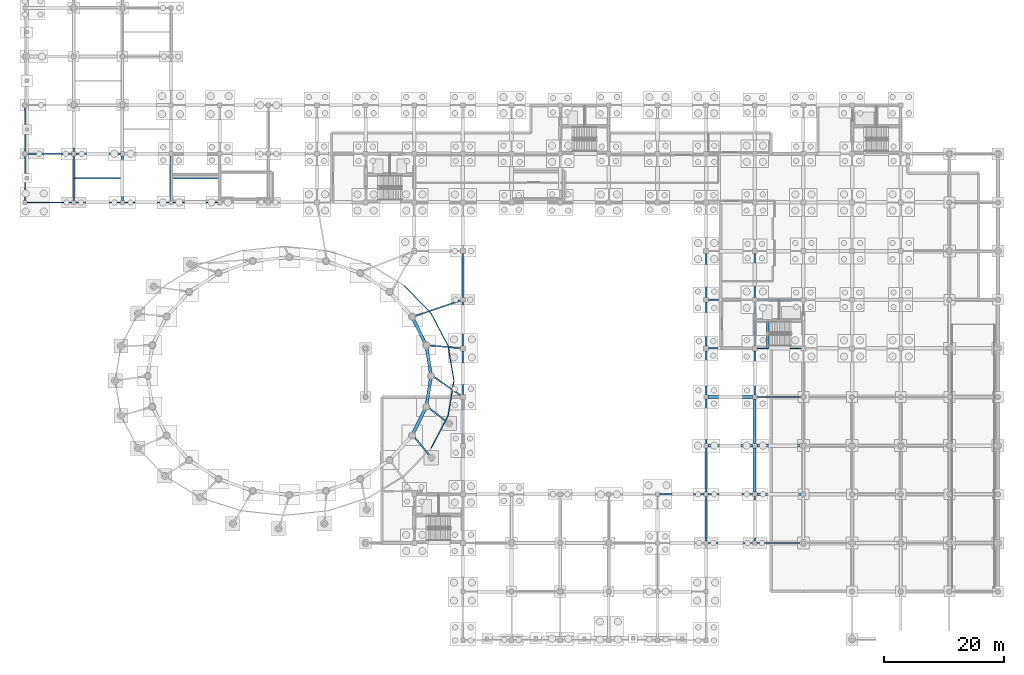
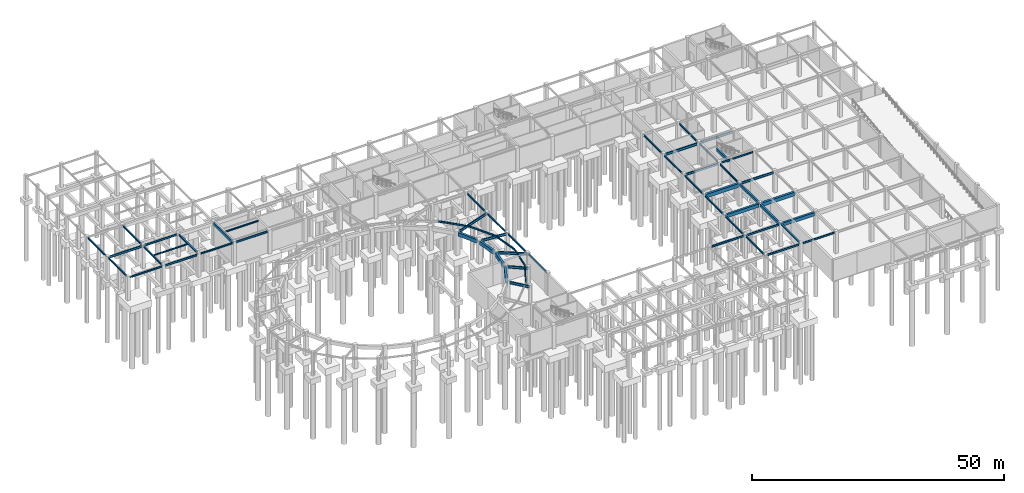
# One storey, part 12 of 26: 58 beams.
"""IFC4 building model written with IfcOpenShell, lengths in metres."""

from ifc_helpers import new_model, si_unit, direction, frame, origin, origin_2d, place, context, subcontext, project, spatial, rectangle, i_section, extrude, material, material_profile, profile_set, type_object, element, save


model = new_model("IFC4")

# Units and contexts
model_context = context("Model", 3, precision=1e-05, world=origin(), true_north=direction((0.0, 1.0)))
body_context = subcontext(model_context, "Body", "Model", "MODEL_VIEW")
ifc_project = project(units=[si_unit("LENGTHUNIT", "METRE"), si_unit("AREAUNIT", "SQUARE_METRE"), si_unit("VOLUMEUNIT", "CUBIC_METRE"), si_unit("PLANEANGLEUNIT", "RADIAN"), si_unit("MASSUNIT", "GRAM", prefix="KILO")], contexts=[model_context])

# Site, building, storey
site_placement = place(None, origin())
site = spatial("IfcSite", under=ifc_project, at=site_placement, CompositionType="ELEMENT")
building_placement = place(site_placement, origin())
building = spatial("IfcBuilding", under=site, at=building_placement, Name="Parian Resonance Hall", CompositionType="ELEMENT")
storey_placement = place(building_placement, frame((0.0, 0.0, -5.39990234375)))
storey = spatial("IfcBuildingStorey", under=building, at=storey_placement, Name="B1", CompositionType="ELEMENT", Elevation=-5.39990234375)

# Beams
ifc_material_1 = material(Name="Concrete C40/50", Category="concrete")
ifc_material_profile_1 = material_profile(ifc_material_1, rectangle(XDim=0.35009765625, YDim=0.60009765625, at=origin_2d()), Name="RC-BM-350x600")
ifc_profile_set_1 = profile_set([ifc_material_profile_1], Name="Concrete C40/50")
beam_type_1 = type_object("IfcBeamType", Name="BM-RC350x600", PredefinedType="BEAM", material=ifc_profile_set_1)
beam_1_placement = place(storey_placement, frame((121.5, 32.75, 4.760009765625), z_axis=(0.0, 1.0, 0.0), x_axis=(-1.0, 0.0, 0.0)))
element("IfcBeam", 1, at=beam_1_placement, inside=storey, type_object=beam_type_1, Name="GY-B1-0209", PredefinedType="BEAM", context=body_context, shape_type="SweptSolid", body=[
    extrude(rectangle(XDim=0.35009765625, YDim=0.60009765625, at=origin_2d()), origin(), (0.0, 0.0, 1.0), 7.39990234375),
])
ifc_material_2 = material(Name="Concrete C40/50", Category="concrete")
ifc_material_profile_2 = material_profile(ifc_material_2, rectangle(XDim=0.39990234375, YDim=0.699951171875, at=origin_2d()), Name="RC-BM-400x700")
ifc_profile_set_2 = profile_set([ifc_material_profile_2], Name="Concrete C40/50")
beam_type_2 = type_object("IfcBeamType", Name="BM-RC400x700", PredefinedType="BEAM", material=ifc_profile_set_2)
beam_2_placement = place(storey_placement, frame((24.300048828125, 73.25, 4.77001953125), z_axis=(0.0, 1.0, 0.0), x_axis=(-1.0, 0.0, 0.0)))
element("IfcBeam", 2, at=beam_2_placement, inside=storey, type_object=beam_type_2, Name="GY-B1-0148", PredefinedType="BEAM", context=body_context, shape_type="SweptSolid", body=[
    extrude(rectangle(XDim=0.39990234375, YDim=0.699951171875, at=origin_2d()), origin(), (0.0, 0.0, 1.0), 7.39990234375),
])
beam_3_placement = place(storey_placement, frame((121.5, 24.64990234375, 4.7099609375), z_axis=(0.0, 1.0, 0.0), x_axis=(-1.0, 0.0, 0.0)))
element("IfcBeam", 3, at=beam_3_placement, inside=storey, type_object=beam_type_2, Name="GY-B1-0208", PredefinedType="BEAM", context=body_context, shape_type="SweptSolid", body=[
    extrude(rectangle(XDim=0.39990234375, YDim=0.699951171875, at=origin_2d()), origin(), (0.0, 0.0, 1.0), 7.400146484375),
])
beam_4_placement = place(storey_placement, frame((123.659912109375, 48.60009765625, 4.7099609375), z_axis=(0.0, 1.0, 0.0), x_axis=(-1.0, 0.0, 0.0)))
element("IfcBeam", 4, at=beam_4_placement, inside=storey, type_object=beam_type_2, Name="Core K2 stair arrival trimmer beam B1", PredefinedType="BEAM", context=body_context, shape_type="SweptSolid", body=[
    extrude(rectangle(XDim=0.39990234375, YDim=0.699951171875, at=origin_2d()), origin(), (0.0, 0.0, 1.0), 4.64990234375),
])
ifc_material_3 = material(Name="Concrete C40/50", Category="concrete")
ifc_material_profile_3 = material_profile(ifc_material_3, rectangle(XDim=0.449951171875, YDim=0.800048828125, at=origin_2d()), Name="RC-BM-450x800")
ifc_profile_set_3 = profile_set([ifc_material_profile_3], Name="Concrete C40/50")
beam_type_3 = type_object("IfcBeamType", Name="BM-RC450x800", PredefinedType="USERDEFINED", material=ifc_profile_set_3)
for number, where, z_axis, x_axis, name in (
    (5, (113.75, 32.39990234375, 4.659912109375), (1.0, 0.0, 0.0), (0.0, 1.0, 0.0), "GX-B1-0077"),
    (6, (121.85009765625, 24.300048828125, 4.659912109375), (1.0, 0.0, 0.0), (0.0, 1.0, 0.0), "GX-B1-0086"),
):
    element("IfcBeam", number, at=place(storey_placement, frame(where, z_axis=z_axis, x_axis=x_axis)), inside=storey, type_object=beam_type_3, Name=name, ObjectType="GIRDER", PredefinedType="USERDEFINED", context=body_context, shape_type="SweptSolid", body=[
        extrude(rectangle(XDim=0.449951171875, YDim=0.800048828125, at=origin_2d()), origin(), (0.0, 0.0, 1.0), 7.39990234375),
    ])
ifc_material_4 = material(Name="Concrete C40/50", Category="concrete")
ifc_material_profile_4 = material_profile(ifc_material_4, rectangle(XDim=0.5, YDim=0.89990234375, at=origin_2d()), Name="RC-BM-500x900")
ifc_profile_set_4 = profile_set([ifc_material_profile_4], Name="Concrete C40/50")
beam_type_4 = type_object("IfcBeamType", Name="BM-RC500x900", PredefinedType="USERDEFINED", material=ifc_profile_set_4)
for number, where, z_axis, x_axis, name in (
    (7, (113.75, 40.5, 4.60986328125), (1.0, 0.0, 0.0), (0.0, 1.0, 0.0), "GX-B1-0078"),
    (8, (121.85009765625, 32.39990234375, 4.60986328125), (1.0, 0.0, 0.0), (0.0, 1.0, 0.0), "GX-B1-0087"),
):
    element("IfcBeam", number, at=place(storey_placement, frame(where, z_axis=z_axis, x_axis=x_axis)), inside=storey, type_object=beam_type_4, Name=name, ObjectType="GIRDER", PredefinedType="USERDEFINED", context=body_context, shape_type="SweptSolid", body=[
        extrude(rectangle(XDim=0.5, YDim=0.89990234375, at=origin_2d()), origin(), (0.0, 0.0, 1.0), 7.39990234375),
    ])
beam_5_placement = place(storey_placement, frame((67.5380859375, 44.395263671875, 4.679931640625), z_axis=(-0.155033793728, 0.987909167283, 0.0), x_axis=(-0.987909167283, -0.155033793728, 0.0)))
element("IfcBeam", 9, at=beam_5_placement, inside=storey, type_object=beam_type_4, Name="Concert hall drum ring beam B1-01", ObjectType="GIRDER", PredefinedType="USERDEFINED", context=body_context, shape_type="SweptSolid", body=[
    extrude(rectangle(XDim=0.5, YDim=0.89990234375, at=origin_2d()), origin(), (0.0, 0.0, 1.0), 4.38720703125),
])
for number, where, z_axis, x_axis, name in (
    (10, (66.61865234375, 49.4833984375, 4.679931640625), (-0.442697851544, 0.896670849441, 0.0), (-0.896670849441, -0.442697851544, 0.0), "Concert hall drum ring beam B1-02"),
    (11, (64.615234375, 34.458740234375, 4.679931640625), (0.442697851544, 0.896670849441, 0.0), (-0.896670849441, 0.442697851544, 0.0), "Concert hall drum ring beam B1-23"),
):
    element("IfcBeam", number, at=place(storey_placement, frame(where, z_axis=z_axis, x_axis=x_axis)), inside=storey, type_object=beam_type_4, Name=name, ObjectType="GIRDER", PredefinedType="USERDEFINED", context=body_context, shape_type="SweptSolid", body=[
        extrude(rectangle(XDim=0.5, YDim=0.89990234375, at=origin_2d()), origin(), (0.0, 0.0, 1.0), 4.525390625),
    ])
beam_6_placement = place(storey_placement, frame((66.85791015625, 39.2705078125, 4.679931640625), z_axis=(0.155033793728, 0.987909167283, 0.0), x_axis=(-0.987909167283, 0.155033793728, 0.0)))
element("IfcBeam", 12, at=beam_6_placement, inside=storey, type_object=beam_type_4, Name="Concert hall drum ring beam B1-24", ObjectType="GIRDER", PredefinedType="USERDEFINED", context=body_context, shape_type="SweptSolid", body=[
    extrude(rectangle(XDim=0.5, YDim=0.89990234375, at=origin_2d()), origin(), (0.0, 0.0, 1.0), 4.38720703125),
])
ifc_material_5 = material(Name="Steel S355", Category="steel")
ifc_material_profile_5 = material_profile(ifc_material_5, i_section(OverallWidth=0.25390625, OverallDepth=0.2529296875, WebThickness=0.008544921875, FlangeThickness=0.01416015625, FilletRadius=0.0126953125, at=origin_2d()), Name="W250x73")
ifc_profile_set_5 = profile_set([ifc_material_profile_5], Name="Steel S355")
beam_type_5 = type_object("IfcBeamType", Name="BM-W250x73", PredefinedType="JOIST", material=ifc_profile_set_5)
beam_7_placement = place(storey_placement, frame((8.2275390625, 76.949951171875, 4.993408203125), z_axis=(1.0, 0.0, 0.0), x_axis=(0.0, 1.0, 0.0)))
element("IfcBeam", 13, at=beam_7_placement, inside=storey, type_object=beam_type_5, Name="JS-B1-0266", PredefinedType="JOIST", context=body_context, shape_type="SweptSolid", body=[
    extrude(i_section(OverallWidth=0.25390625, OverallDepth=0.2529296875, WebThickness=0.008544921875, FlangeThickness=0.01416015625, FilletRadius=0.0126953125, at=origin_2d()), origin(), (0.0, 0.0, 1.0), 7.820068359375),
])
ifc_material_6 = material(Name="Steel S355", Category="steel")
ifc_material_profile_6 = material_profile(ifc_material_6, i_section(OverallWidth=0.25390625, OverallDepth=0.305908203125, WebThickness=0.0087890625, FlangeThickness=0.0146484375, FilletRadius=0.01513671875, at=origin_2d()), Name="W310x79")
ifc_profile_set_6 = profile_set([ifc_material_profile_6], Name="Steel S355")
beam_type_6 = type_object("IfcBeamType", Name="BM-W310x79", PredefinedType="JOIST", material=ifc_profile_set_6)
beam_8_placement = place(storey_placement, frame((24.5, 76.949951171875, 4.966796875), z_axis=(1.0, 0.0, 0.0), x_axis=(0.0, 1.0, 0.0)))
element("IfcBeam", 14, at=beam_8_placement, inside=storey, type_object=beam_type_6, Name="JS-B1-0271", PredefinedType="JOIST", context=body_context, shape_type="SweptSolid", body=[
    extrude(i_section(OverallWidth=0.25390625, OverallDepth=0.305908203125, WebThickness=0.0087890625, FlangeThickness=0.0146484375, FilletRadius=0.01513671875, at=origin_2d()), origin(), (0.0, 0.0, 1.0), 7.72509765625),
])
ifc_material_7 = material(Name="Steel S355", Category="steel")
ifc_material_profile_7 = material_profile(ifc_material_7, i_section(OverallWidth=0.304931640625, OverallDepth=0.30810546875, WebThickness=0.010009765625, FlangeThickness=0.015380859375, FilletRadius=0.01513671875, at=origin_2d()), Name="W310x97")
ifc_profile_set_7 = profile_set([ifc_material_profile_7], Name="Steel S355")
beam_type_7 = type_object("IfcBeamType", Name="BM-W310x97", PredefinedType="BEAM", material=ifc_profile_set_7)
for number, where, z_axis, x_axis, name in (
    (15, (8.10009765625, 81.35009765625, 4.9658203125), (0.0, 1.0, 0.0), (-1.0, 0.0, 0.0), "GY-B1-0139"),
    (16, (16.199951171875, 73.25, 4.9658203125), (0.0, 1.0, 0.0), (-1.0, 0.0, 0.0), "GY-B1-0143"),
    (17, (121.5, 16.550048828125, 5.015869140625), (0.0, 1.0, 0.0), (-1.0, 0.0, 0.0), "GY-B1-0207"),
):
    element("IfcBeam", number, at=place(storey_placement, frame(where, z_axis=z_axis, x_axis=x_axis)), inside=storey, type_object=beam_type_7, Name=name, PredefinedType="BEAM", context=body_context, shape_type="SweptSolid", body=[
        extrude(i_section(OverallWidth=0.304931640625, OverallDepth=0.30810546875, WebThickness=0.010009765625, FlangeThickness=0.015380859375, FilletRadius=0.01513671875, at=origin_2d()), origin(), (0.0, 0.0, 1.0), 7.39990234375),
    ])
ifc_material_8 = material(Name="Steel S355", Category="steel")
ifc_material_profile_8 = material_profile(ifc_material_8, i_section(OverallWidth=0.2548828125, OverallDepth=0.35693359375, WebThickness=0.010498046875, FlangeThickness=0.018310546875, FilletRadius=0.01513671875, at=origin_2d()), Name="W360x101")
ifc_profile_set_8 = profile_set([ifc_material_profile_8], Name="Steel S355")
beam_type_8 = type_object("IfcBeamType", Name="BM-W360x101", PredefinedType="SPANDREL", material=ifc_profile_set_8)
for number, where, z_axis, x_axis, name in (
    (18, (0.0, 73.25, 4.991455078125), (0.0, 1.0, 0.0), (-1.0, 0.0, 0.0), "GY-B1-0133"),
    (19, (0.0, 81.35009765625, 4.991455078125), (0.0, 1.0, 0.0), (-1.0, 0.0, 0.0), "GY-B1-0134"),
    (20, (8.10009765625, 73.25, 4.94140625), (0.0, 1.0, 0.0), (-1.0, 0.0, 0.0), "GY-B1-0138"),
):
    element("IfcBeam", number, at=place(storey_placement, frame(where, z_axis=z_axis, x_axis=x_axis)), inside=storey, type_object=beam_type_8, Name=name, PredefinedType="SPANDREL", context=body_context, shape_type="SweptSolid", body=[
        extrude(i_section(OverallWidth=0.2548828125, OverallDepth=0.35693359375, WebThickness=0.010498046875, FlangeThickness=0.018310546875, FilletRadius=0.01513671875, at=origin_2d()), origin(), (0.0, 0.0, 1.0), 7.39990234375),
    ])
for number, where, z_axis, x_axis, name in (
    (21, (72.89990234375, 32.800048828125, 4.92138671875), (0.0, 1.0, 0.0), (-1.0, 0.0, 0.0), "GY-B1-0169"),
    (22, (72.89990234375, 40.89990234375, 4.92138671875), (0.0, 1.0, 0.0), (-1.0, 0.0, 0.0), "GY-B1-0170"),
    (23, (72.89990234375, 49.0, 4.92138671875), (0.0, 1.0, 0.0), (-1.0, 0.0, 0.0), "GY-B1-0171"),
):
    element("IfcBeam", number, at=place(storey_placement, frame(where, z_axis=z_axis, x_axis=x_axis)), inside=storey, type_object=beam_type_8, Name=name, PredefinedType="SPANDREL", context=body_context, shape_type="SweptSolid", body=[
        extrude(i_section(OverallWidth=0.2548828125, OverallDepth=0.35693359375, WebThickness=0.010498046875, FlangeThickness=0.018310546875, FilletRadius=0.01513671875, at=origin_2d()), origin(), (0.0, 0.0, 1.0), 7.300048828125),
    ])
beam_9_placement = place(storey_placement, frame((72.89990234375, 57.10009765625, 4.92138671875), z_axis=(0.0, 1.0, 0.0), x_axis=(-1.0, 0.0, 0.0)))
element("IfcBeam", 24, at=beam_9_placement, inside=storey, type_object=beam_type_8, Name="GY-B1-0172", PredefinedType="SPANDREL", context=body_context, shape_type="SweptSolid", body=[
    extrude(i_section(OverallWidth=0.2548828125, OverallDepth=0.35693359375, WebThickness=0.010498046875, FlangeThickness=0.018310546875, FilletRadius=0.01513671875, at=origin_2d()), origin(), (0.0, 0.0, 1.0), 7.2998046875),
])
beam_10_placement = place(storey_placement, frame((113.39990234375, 16.550048828125, 4.96142578125), z_axis=(0.0, 1.0, 0.0), x_axis=(-1.0, 0.0, 0.0)))
element("IfcBeam", 25, at=beam_10_placement, inside=storey, type_object=beam_type_8, Name="GY-B1-0198", PredefinedType="SPANDREL", context=body_context, shape_type="SweptSolid", body=[
    extrude(i_section(OverallWidth=0.2548828125, OverallDepth=0.35693359375, WebThickness=0.010498046875, FlangeThickness=0.018310546875, FilletRadius=0.01513671875, at=origin_2d()), origin(), (0.0, 0.0, 1.0), 7.39990234375),
])
beam_11_placement = place(storey_placement, frame((113.39990234375, 24.64990234375, 4.88134765625), z_axis=(0.0, 1.0, 0.0), x_axis=(-1.0, 0.0, 0.0)))
element("IfcBeam", 26, at=beam_11_placement, inside=storey, type_object=beam_type_8, Name="GY-B1-0199", PredefinedType="SPANDREL", context=body_context, shape_type="SweptSolid", body=[
    extrude(i_section(OverallWidth=0.2548828125, OverallDepth=0.35693359375, WebThickness=0.010498046875, FlangeThickness=0.018310546875, FilletRadius=0.01513671875, at=origin_2d()), origin(), (0.0, 0.0, 1.0), 7.400146484375),
])
beam_12_placement = place(storey_placement, frame((113.39990234375, 32.75, 4.88134765625), z_axis=(0.0, 1.0, 0.0), x_axis=(-1.0, 0.0, 0.0)))
element("IfcBeam", 27, at=beam_12_placement, inside=storey, type_object=beam_type_8, Name="GY-B1-0200", PredefinedType="SPANDREL", context=body_context, shape_type="SweptSolid", body=[
    extrude(i_section(OverallWidth=0.2548828125, OverallDepth=0.35693359375, WebThickness=0.010498046875, FlangeThickness=0.018310546875, FilletRadius=0.01513671875, at=origin_2d()), origin(), (0.0, 0.0, 1.0), 7.39990234375),
])
beam_13_placement = place(storey_placement, frame((113.39990234375, 40.85009765625, 4.88134765625), z_axis=(0.0, 1.0, 0.0), x_axis=(-1.0, 0.0, 0.0)))
element("IfcBeam", 28, at=beam_13_placement, inside=storey, type_object=beam_type_8, Name="GY-B1-0201", PredefinedType="SPANDREL", context=body_context, shape_type="SweptSolid", body=[
    extrude(i_section(OverallWidth=0.2548828125, OverallDepth=0.35693359375, WebThickness=0.010498046875, FlangeThickness=0.018310546875, FilletRadius=0.01513671875, at=origin_2d()), origin(), (0.0, 0.0, 1.0), 7.349853515625),
])
beam_14_placement = place(storey_placement, frame((113.39990234375, 49.0, 4.88134765625), z_axis=(0.0, 1.0, 0.0), x_axis=(-1.0, 0.0, 0.0)))
element("IfcBeam", 29, at=beam_14_placement, inside=storey, type_object=beam_type_8, Name="GY-B1-0202", PredefinedType="SPANDREL", context=body_context, shape_type="SweptSolid", body=[
    extrude(i_section(OverallWidth=0.2548828125, OverallDepth=0.35693359375, WebThickness=0.010498046875, FlangeThickness=0.018310546875, FilletRadius=0.01513671875, at=origin_2d()), origin(), (0.0, 0.0, 1.0), 7.300048828125),
])
for number, where, z_axis, x_axis, name in (
    (30, (113.39990234375, 57.10009765625, 4.88134765625), (0.0, 1.0, 0.0), (-1.0, 0.0, 0.0), "GY-B1-0203"),
    (31, (121.5, 57.10009765625, 4.88134765625), (0.0, 1.0, 0.0), (-1.0, 0.0, 0.0), "GY-B1-0212"),
):
    element("IfcBeam", number, at=place(storey_placement, frame(where, z_axis=z_axis, x_axis=x_axis)), inside=storey, type_object=beam_type_8, Name=name, PredefinedType="SPANDREL", context=body_context, shape_type="SweptSolid", body=[
        extrude(i_section(OverallWidth=0.2548828125, OverallDepth=0.35693359375, WebThickness=0.010498046875, FlangeThickness=0.018310546875, FilletRadius=0.01513671875, at=origin_2d()), origin(), (0.0, 0.0, 1.0), 7.2998046875),
    ])
ifc_material_9 = material(Name="Steel S355", Category="steel")
ifc_material_profile_9 = material_profile(ifc_material_9, i_section(OverallWidth=0.180908203125, OverallDepth=0.4169921875, WebThickness=0.010986328125, FlangeThickness=0.018310546875, FilletRadius=0.01513671875, at=origin_2d()), Name="W410x85")
ifc_profile_set_9 = profile_set([ifc_material_profile_9], Name="Steel S355")
beam_type_9 = type_object("IfcBeamType", Name="BM-W410x85", PredefinedType="SPANDREL", material=ifc_profile_set_9)
for number, where, z_axis, x_axis, name in (
    (32, (0.35009765625, 72.89990234375, 4.911376953125), (1.0, 0.0, 0.0), (0.0, 1.0, 0.0), "GX-B1-0001"),
    (33, (16.550048828125, 72.89990234375, 4.911376953125), (1.0, 0.0, 0.0), (0.0, 1.0, 0.0), "GX-B1-0013"),
    (34, (121.85009765625, 16.199951171875, 4.96142578125), (1.0, 0.0, 0.0), (0.0, 1.0, 0.0), "GX-B1-0085"),
):
    element("IfcBeam", number, at=place(storey_placement, frame(where, z_axis=z_axis, x_axis=x_axis)), inside=storey, type_object=beam_type_9, Name=name, PredefinedType="SPANDREL", context=body_context, shape_type="SweptSolid", body=[
        extrude(i_section(OverallWidth=0.180908203125, OverallDepth=0.4169921875, WebThickness=0.010986328125, FlangeThickness=0.018310546875, FilletRadius=0.01513671875, at=origin_2d()), origin(), (0.0, 0.0, 1.0), 7.39990234375),
    ])
for number, where, z_axis, x_axis, name in (
    (35, (121.89990234375, 48.60009765625, 4.851318359375), (1.0, 0.0, 0.0), (0.0, 1.0, 0.0), "GX-B1-0089"),
    (36, (121.5, 49.0, 4.851318359375), (0.0, 1.0, 0.0), (-1.0, 0.0, 0.0), "GY-B1-0211"),
):
    element("IfcBeam", number, at=place(storey_placement, frame(where, z_axis=z_axis, x_axis=x_axis)), inside=storey, type_object=beam_type_9, Name=name, PredefinedType="SPANDREL", context=body_context, shape_type="SweptSolid", body=[
        extrude(i_section(OverallWidth=0.180908203125, OverallDepth=0.4169921875, WebThickness=0.010986328125, FlangeThickness=0.018310546875, FilletRadius=0.01513671875, at=origin_2d()), origin(), (0.0, 0.0, 1.0), 7.300048828125),
    ])
beam_15_placement = place(storey_placement, frame((71.39990234375, 43.199951171875, 4.871337890625), z_axis=(-0.163475963029, 0.986547317422, 0.0), x_axis=(-0.986547317422, -0.163475963029, 0.0)))
element("IfcBeam", 37, at=beam_15_placement, inside=storey, type_object=beam_type_9, Name="Elliptical BASE perimeter spandrel beam 01", PredefinedType="SPANDREL", context=body_context, shape_type="SweptSolid", body=[
    extrude(i_section(OverallWidth=0.180908203125, OverallDepth=0.4169921875, WebThickness=0.010986328125, FlangeThickness=0.018310546875, FilletRadius=0.01513671875, at=origin_2d()), origin(), (0.0, 0.0, 1.0), 5.876708984375),
])
beam_16_placement = place(storey_placement, frame((70.439208984375, 48.99755859375, 4.871337890625), z_axis=(-0.462407148439, 0.886667710629, 0.0), x_axis=(-0.886667710629, -0.462407148439, 0.0)))
element("IfcBeam", 38, at=beam_16_placement, inside=storey, type_object=beam_type_9, Name="Elliptical BASE perimeter spandrel beam 02", PredefinedType="SPANDREL", context=body_context, shape_type="SweptSolid", body=[
    extrude(i_section(OverallWidth=0.180908203125, OverallDepth=0.4169921875, WebThickness=0.010986328125, FlangeThickness=0.018310546875, FilletRadius=0.01513671875, at=origin_2d()), origin(), (0.0, 0.0, 1.0), 6.0927734375),
])
beam_17_placement = place(storey_placement, frame((67.621826171875, 54.39990234375, 4.871337890625), z_axis=(-0.694756606327, 0.719244922098, 0.0), x_axis=(-0.719244922098, -0.694756606327, 0.0)))
element("IfcBeam", 39, at=beam_17_placement, inside=storey, type_object=beam_type_9, Name="Elliptical BASE perimeter spandrel beam 03", PredefinedType="SPANDREL", context=body_context, shape_type="SweptSolid", body=[
    extrude(i_section(OverallWidth=0.180908203125, OverallDepth=0.4169921875, WebThickness=0.010986328125, FlangeThickness=0.018310546875, FilletRadius=0.01513671875, at=origin_2d()), origin(), (0.0, 0.0, 1.0), 6.450439453125),
])
beam_18_placement = place(storey_placement, frame((67.621826171875, 32.0, 4.871337890625), z_axis=(0.462390720207, 0.886676277943, 0.0), x_axis=(-0.886676277943, 0.462390720207, 0.0)))
element("IfcBeam", 40, at=beam_18_placement, inside=storey, type_object=beam_type_9, Name="Elliptical BASE perimeter spandrel beam 23", PredefinedType="SPANDREL", context=body_context, shape_type="SweptSolid", body=[
    extrude(i_section(OverallWidth=0.180908203125, OverallDepth=0.4169921875, WebThickness=0.010986328125, FlangeThickness=0.018310546875, FilletRadius=0.01513671875, at=origin_2d()), origin(), (0.0, 0.0, 1.0), 6.093017578125),
])
beam_19_placement = place(storey_placement, frame((70.439208984375, 37.402587890625, 4.871337890625), z_axis=(0.163482663396, 0.986546207113, 0.0), x_axis=(-0.986546207113, 0.163482663396, 0.0)))
element("IfcBeam", 41, at=beam_19_placement, inside=storey, type_object=beam_type_9, Name="Elliptical BASE perimeter spandrel beam 24", PredefinedType="SPANDREL", context=body_context, shape_type="SweptSolid", body=[
    extrude(i_section(OverallWidth=0.180908203125, OverallDepth=0.4169921875, WebThickness=0.010986328125, FlangeThickness=0.018310546875, FilletRadius=0.01513671875, at=origin_2d()), origin(), (0.0, 0.0, 1.0), 5.87646484375),
])
ifc_material_10 = material(Name="Steel S355", Category="steel")
ifc_material_profile_10 = material_profile(ifc_material_10, i_section(OverallWidth=0.194091796875, OverallDepth=0.468994140625, WebThickness=0.0126953125, FlangeThickness=0.0205078125, FilletRadius=0.01513671875, at=origin_2d()), Name="W460x106")
ifc_profile_set_10 = profile_set([ifc_material_profile_10], Name="Steel S355")
beam_type_10 = type_object("IfcBeamType", Name="BM-W460x106", PredefinedType="SPANDREL", material=ifc_profile_set_10)
beam_20_placement = place(storey_placement, frame((8.449951171875, 72.89990234375, 4.885498046875), z_axis=(1.0, 0.0, 0.0), x_axis=(0.0, 1.0, 0.0)))
element("IfcBeam", 42, at=beam_20_placement, inside=storey, type_object=beam_type_10, Name="GX-B1-0007", PredefinedType="SPANDREL", context=body_context, shape_type="SweptSolid", body=[
    extrude(i_section(OverallWidth=0.194091796875, OverallDepth=0.468994140625, WebThickness=0.0126953125, FlangeThickness=0.0205078125, FilletRadius=0.01513671875, at=origin_2d()), origin(), (0.0, 0.0, 1.0), 7.400146484375),
])
beam_21_placement = place(storey_placement, frame((24.64990234375, 72.89990234375, 4.885498046875), z_axis=(1.0, 0.0, 0.0), x_axis=(0.0, 1.0, 0.0)))
element("IfcBeam", 43, at=beam_21_placement, inside=storey, type_object=beam_type_10, Name="GX-B1-0018", PredefinedType="SPANDREL", context=body_context, shape_type="SweptSolid", body=[
    extrude(i_section(OverallWidth=0.194091796875, OverallDepth=0.468994140625, WebThickness=0.0126953125, FlangeThickness=0.0205078125, FilletRadius=0.01513671875, at=origin_2d()), origin(), (0.0, 0.0, 1.0), 7.35009765625),
])
beam_22_placement = place(storey_placement, frame((105.64990234375, 24.300048828125, 4.905517578125), z_axis=(1.0, 0.0, 0.0), x_axis=(0.0, 1.0, 0.0)))
element("IfcBeam", 44, at=beam_22_placement, inside=storey, type_object=beam_type_10, Name="GX-B1-0071", PredefinedType="SPANDREL", context=body_context, shape_type="SweptSolid", body=[
    extrude(i_section(OverallWidth=0.194091796875, OverallDepth=0.468994140625, WebThickness=0.0126953125, FlangeThickness=0.0205078125, FilletRadius=0.01513671875, at=origin_2d()), origin(), (0.0, 0.0, 1.0), 7.400146484375),
])
beam_23_placement = place(storey_placement, frame((113.75, 16.199951171875, 4.935302734375), z_axis=(1.0, 0.0, 0.0), x_axis=(0.0, 1.0, 0.0)))
element("IfcBeam", 45, at=beam_23_placement, inside=storey, type_object=beam_type_10, Name="GX-B1-0075", PredefinedType="SPANDREL", context=body_context, shape_type="SweptSolid", body=[
    extrude(i_section(OverallWidth=0.194091796875, OverallDepth=0.468994140625, WebThickness=0.0126953125, FlangeThickness=0.0205078125, FilletRadius=0.01513671875, at=origin_2d()), origin(), (0.0, 0.0, 1.0), 7.39990234375),
])
beam_24_placement = place(storey_placement, frame((121.5, 40.85009765625, 4.825439453125), z_axis=(0.0, 1.0, 0.0), x_axis=(-1.0, 0.0, 0.0)))
element("IfcBeam", 46, at=beam_24_placement, inside=storey, type_object=beam_type_10, Name="GY-B1-0210", PredefinedType="SPANDREL", context=body_context, shape_type="SweptSolid", body=[
    extrude(i_section(OverallWidth=0.194091796875, OverallDepth=0.468994140625, WebThickness=0.0126953125, FlangeThickness=0.0205078125, FilletRadius=0.01513671875, at=origin_2d()), origin(), (0.0, 0.0, 1.0), 7.349853515625),
])
ifc_material_11 = material(Name="Steel S355", Category="steel")
ifc_material_profile_11 = material_profile(ifc_material_11, i_section(OverallWidth=0.19091796875, OverallDepth=0.4599609375, WebThickness=0.010009765625, FlangeThickness=0.01611328125, FilletRadius=0.01513671875, at=origin_2d()), Name="W460x82")
ifc_profile_set_11 = profile_set([ifc_material_profile_11], Name="Steel S355")
beam_type_11 = type_object("IfcBeamType", Name="BM-W460x82", PredefinedType="BEAM", material=ifc_profile_set_11)
beam_25_placement = place(storey_placement, frame((8.449951171875, 81.0, 4.889892578125), z_axis=(1.0, 0.0, 0.0), x_axis=(0.0, 1.0, 0.0)))
element("IfcBeam", 47, at=beam_25_placement, inside=storey, type_object=beam_type_11, Name="GX-B1-0008", PredefinedType="BEAM", context=body_context, shape_type="SweptSolid", body=[
    extrude(i_section(OverallWidth=0.19091796875, OverallDepth=0.4599609375, WebThickness=0.010009765625, FlangeThickness=0.01611328125, FilletRadius=0.01513671875, at=origin_2d()), origin(), (0.0, 0.0, 1.0), 7.400146484375),
])
beam_26_placement = place(storey_placement, frame((113.75, 24.300048828125, 4.829833984375), z_axis=(1.0, 0.0, 0.0), x_axis=(0.0, 1.0, 0.0)))
element("IfcBeam", 48, at=beam_26_placement, inside=storey, type_object=beam_type_11, Name="GX-B1-0076", PredefinedType="BEAM", context=body_context, shape_type="SweptSolid", body=[
    extrude(i_section(OverallWidth=0.19091796875, OverallDepth=0.4599609375, WebThickness=0.010009765625, FlangeThickness=0.01611328125, FilletRadius=0.01513671875, at=origin_2d()), origin(), (0.0, 0.0, 1.0), 7.39990234375),
])
ifc_material_12 = material(Name="Steel S355", Category="steel")
ifc_material_profile_12 = material_profile(ifc_material_12, i_section(OverallWidth=0.2119140625, OverallDepth=0.5439453125, WebThickness=0.01318359375, FlangeThickness=0.021240234375, FilletRadius=0.017822265625, at=origin_2d()), Name="W530x123")
ifc_profile_set_12 = profile_set([ifc_material_profile_12], Name="Steel S355")
beam_type_12 = type_object("IfcBeamType", Name="BM-W530x123", PredefinedType="USERDEFINED", material=ifc_profile_set_12)
beam_27_placement = place(storey_placement, frame((113.800048828125, 48.60009765625, 4.787841796875), z_axis=(1.0, 0.0, 0.0), x_axis=(0.0, 1.0, 0.0)))
element("IfcBeam", 49, at=beam_27_placement, inside=storey, type_object=beam_type_12, Name="GX-B1-0079", ObjectType="GIRDER", PredefinedType="USERDEFINED", context=body_context, shape_type="SweptSolid", body=[
    extrude(i_section(OverallWidth=0.2119140625, OverallDepth=0.5439453125, WebThickness=0.01318359375, FlangeThickness=0.021240234375, FilletRadius=0.017822265625, at=origin_2d()), origin(), (0.0, 0.0, 1.0), 7.300048828125),
])
beam_28_placement = place(storey_placement, frame((121.85009765625, 40.5, 4.787841796875), z_axis=(1.0, 0.0, 0.0), x_axis=(0.0, 1.0, 0.0)))
element("IfcBeam", 50, at=beam_28_placement, inside=storey, type_object=beam_type_12, Name="GX-B1-0088", ObjectType="GIRDER", PredefinedType="USERDEFINED", context=body_context, shape_type="SweptSolid", body=[
    extrude(i_section(OverallWidth=0.2119140625, OverallDepth=0.5439453125, WebThickness=0.01318359375, FlangeThickness=0.021240234375, FilletRadius=0.017822265625, at=origin_2d()), origin(), (0.0, 0.0, 1.0), 7.39990234375),
])
ifc_material_13 = material(Name="Steel S355", Category="steel")
ifc_material_profile_13 = material_profile(ifc_material_13, i_section(OverallWidth=0.208984375, OverallDepth=0.532958984375, WebThickness=0.01025390625, FlangeThickness=0.015625, FilletRadius=0.017822265625, at=origin_2d()), Name="W530x92")
ifc_profile_set_13 = profile_set([ifc_material_profile_13], Name="Steel S355")
beam_type_13 = type_object("IfcBeamType", Name="BM-W530x92", PredefinedType="BEAM", material=ifc_profile_set_13)
beam_29_placement = place(storey_placement, frame((0.35009765625, 81.0, 4.853515625), z_axis=(1.0, 0.0, 0.0), x_axis=(0.0, 1.0, 0.0)))
element("IfcBeam", 51, at=beam_29_placement, inside=storey, type_object=beam_type_13, Name="GX-B1-0002", PredefinedType="BEAM", context=body_context, shape_type="SweptSolid", body=[
    extrude(i_section(OverallWidth=0.208984375, OverallDepth=0.532958984375, WebThickness=0.01025390625, FlangeThickness=0.015625, FilletRadius=0.017822265625, at=origin_2d()), origin(), (0.0, 0.0, 1.0), 7.39990234375),
])
beam_30_placement = place(storey_placement, frame((121.89990234375, 56.699951171875, 4.79345703125), z_axis=(1.0, 0.0, 0.0), x_axis=(0.0, 1.0, 0.0)))
element("IfcBeam", 52, at=beam_30_placement, inside=storey, type_object=beam_type_13, Name="GX-B1-0090", PredefinedType="BEAM", context=body_context, shape_type="SweptSolid", body=[
    extrude(i_section(OverallWidth=0.208984375, OverallDepth=0.532958984375, WebThickness=0.01025390625, FlangeThickness=0.015625, FilletRadius=0.017822265625, at=origin_2d()), origin(), (0.0, 0.0, 1.0), 7.300048828125),
])
ifc_material_14 = material(Name="Steel S355", Category="steel")
ifc_material_profile_14 = material_profile(ifc_material_14, i_section(OverallWidth=0.22802734375, OverallDepth=0.60791015625, WebThickness=0.01123046875, FlangeThickness=0.017333984375, FilletRadius=0.017822265625, at=origin_2d()), Name="W610x113")
ifc_profile_set_14 = profile_set([ifc_material_profile_14], Name="Steel S355")
beam_type_14 = type_object("IfcBeamType", Name="BM-W610x113", PredefinedType="USERDEFINED", material=ifc_profile_set_14)
beam_31_placement = place(storey_placement, frame((113.800048828125, 56.699951171875, 4.755859375), z_axis=(1.0, 0.0, 0.0), x_axis=(0.0, 1.0, 0.0)))
element("IfcBeam", 53, at=beam_31_placement, inside=storey, type_object=beam_type_14, Name="GX-B1-0080", ObjectType="GIRDER", PredefinedType="USERDEFINED", context=body_context, shape_type="SweptSolid", body=[
    extrude(i_section(OverallWidth=0.22802734375, OverallDepth=0.60791015625, WebThickness=0.01123046875, FlangeThickness=0.017333984375, FilletRadius=0.017822265625, at=origin_2d()), origin(), (0.0, 0.0, 1.0), 7.300048828125),
])
ifc_material_15 = material(Name="Steel S355", Category="steel")
ifc_material_profile_15 = material_profile(ifc_material_15, i_section(OverallWidth=0.22998046875, OverallDepth=0.616943359375, WebThickness=0.01318359375, FlangeThickness=0.022216796875, FilletRadius=0.017822265625, at=origin_2d()), Name="W610x140")
ifc_profile_set_15 = profile_set([ifc_material_profile_15], Name="Steel S355")
beam_type_15 = type_object("IfcBeamType", Name="CG1 W610x140", PredefinedType="USERDEFINED", material=ifc_profile_set_15)
beam_32_placement = place(storey_placement, frame((67.991455078125, 43.91748046875, 4.771484375), z_axis=(0.820677170858, -0.571392143132, 0.0), x_axis=(0.571392143132, 0.820677170858, 0.0)))
element("IfcBeam", 54, at=beam_32_placement, inside=storey, type_object=beam_type_15, Name="Radial spine girder BASE-01", ObjectType="GIRDER", PredefinedType="USERDEFINED", context=body_context, shape_type="SweptSolid", body=[
    extrude(i_section(OverallWidth=0.22998046875, OverallDepth=0.616943359375, WebThickness=0.01318359375, FlangeThickness=0.022216796875, FilletRadius=0.017822265625, at=origin_2d()), origin(), (0.0, 0.0, 1.0), 5.98095703125),
])
beam_33_placement = place(storey_placement, frame((67.195556640625, 49.110595703125, 4.771484375), z_axis=(0.996019410995, -0.089136596978, 0.0), x_axis=(0.089136596978, 0.996019410995, 0.0)))
element("IfcBeam", 55, at=beam_33_placement, inside=storey, type_object=beam_type_15, Name="Radial spine girder BASE-02", ObjectType="GIRDER", PredefinedType="USERDEFINED", context=body_context, shape_type="SweptSolid", body=[
    extrude(i_section(OverallWidth=0.22998046875, OverallDepth=0.616943359375, WebThickness=0.01318359375, FlangeThickness=0.022216796875, FilletRadius=0.017822265625, at=origin_2d()), origin(), (0.0, 0.0, 1.0), 5.72705078125),
])
beam_34_placement = place(storey_placement, frame((64.83349609375, 53.962158203125, 4.771484375), z_axis=(0.946943813636, 0.321399150306, 0.0), x_axis=(-0.321399150306, 0.946943813636, 0.0)))
element("IfcBeam", 56, at=beam_34_placement, inside=storey, type_object=beam_type_15, Name="Radial spine girder BASE-03", ObjectType="GIRDER", PredefinedType="USERDEFINED", context=body_context, shape_type="SweptSolid", body=[
    extrude(i_section(OverallWidth=0.22998046875, OverallDepth=0.616943359375, WebThickness=0.01318359375, FlangeThickness=0.022216796875, FilletRadius=0.017822265625, at=origin_2d()), origin(), (0.0, 0.0, 1.0), 8.518310546875),
])
beam_35_placement = place(storey_placement, frame((64.772216796875, 33.8798828125, 4.771484375), z_axis=(0.638739096348, -0.769423398914, 0.0), x_axis=(0.769423398914, 0.638739096348, 0.0)))
element("IfcBeam", 57, at=beam_35_placement, inside=storey, type_object=beam_type_15, Name="Radial spine girder BASE-23", ObjectType="GIRDER", PredefinedType="USERDEFINED", context=body_context, shape_type="SweptSolid", body=[
    extrude(i_section(OverallWidth=0.22998046875, OverallDepth=0.616943359375, WebThickness=0.01318359375, FlangeThickness=0.022216796875, FilletRadius=0.017822265625, at=origin_2d()), origin(), (0.0, 0.0, 1.0), 4.52294921875),
])
beam_36_placement = place(storey_placement, frame((67.16650390625, 38.7255859375, 4.771484375), z_axis=(0.793286504623, -0.608848521049, 0.0), x_axis=(0.608848521049, 0.793286504623, 0.0)))
element("IfcBeam", 58, at=beam_36_placement, inside=storey, type_object=beam_type_15, Name="Radial spine girder BASE-24", ObjectType="GIRDER", PredefinedType="USERDEFINED", context=body_context, shape_type="SweptSolid", body=[
    extrude(i_section(OverallWidth=0.22998046875, OverallDepth=0.616943359375, WebThickness=0.01318359375, FlangeThickness=0.022216796875, FilletRadius=0.017822265625, at=origin_2d()), origin(), (0.0, 0.0, 1.0), 4.325927734375),
])

save(model, "model.ifc")
